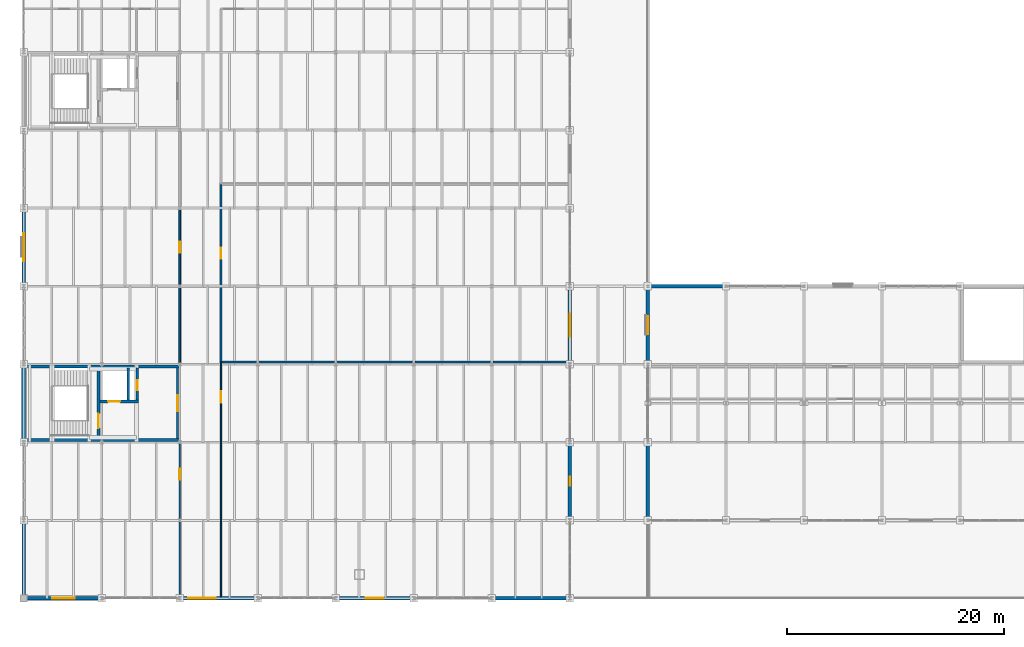
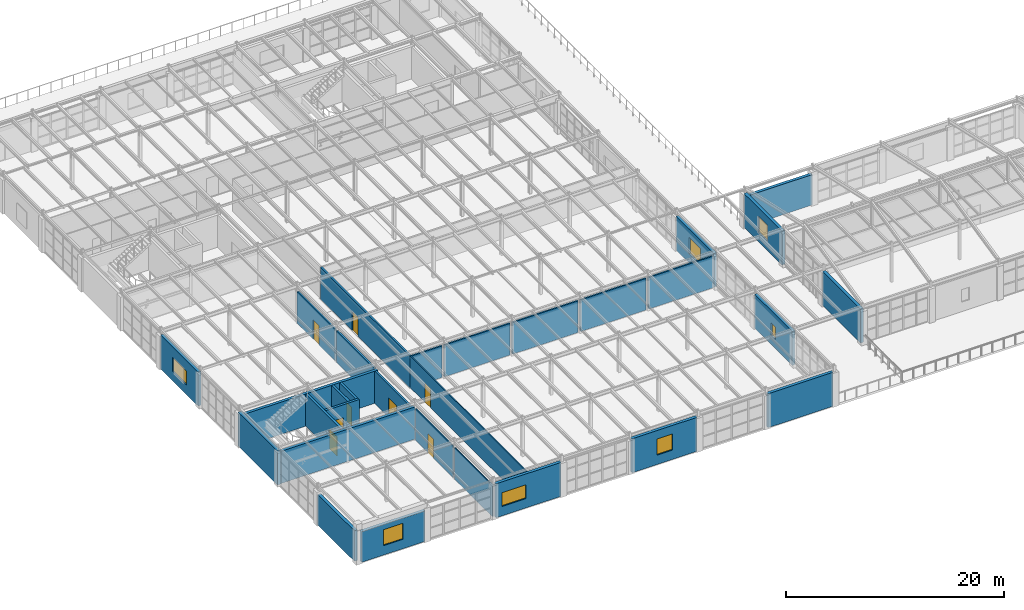
# One storey, part 90 of 101: 30 walls, 8 doors, 7 windows, 15 openings.
"""IFC4 building model written with IfcOpenShell, lengths in metres."""

from ifc_helpers import new_model, si_unit, direction, frame, frame_2d, origin, place, context, subcontext, project, spatial, rectangle, extrude, material, layer, layer_set, type_object, element, fill, save


model = new_model("IFC4")

# Units and contexts
model_context = context("Model", 3, precision=1e-05, world=origin(), true_north=direction((0.0, 1.0)))
body_context = subcontext(model_context, "Body", "Model", "MODEL_VIEW")
ifc_project = project(units=[si_unit("LENGTHUNIT", "METRE"), si_unit("AREAUNIT", "SQUARE_METRE"), si_unit("VOLUMEUNIT", "CUBIC_METRE"), si_unit("PLANEANGLEUNIT", "RADIAN"), si_unit("MASSUNIT", "GRAM", prefix="KILO")], contexts=[model_context])

# Site, building, storey
site_placement = place(None, origin())
site = spatial("IfcSite", under=ifc_project, at=site_placement, CompositionType="ELEMENT")
building_placement = place(site_placement, origin())
building = spatial("IfcBuilding", under=site, at=building_placement, Name="Kemerveld Promenade Tramway Depot", CompositionType="ELEMENT")
storey_placement = place(building_placement, frame((0.0, 0.0, 9.89990234375)))
storey = spatial("IfcBuildingStorey", under=building, at=storey_placement, Name="L02", CompositionType="ELEMENT", Elevation=9.89990234375)

# Wall, opening, door
ifc_material_1 = material(Name="Concrete C40/50", Category="concrete")
ifc_layer_1 = layer(ifc_material_1, 0.25)
ifc_layer_set_1 = layer_set([ifc_layer_1], Name="WL-CORE-250")
wall_type_1 = type_object("IfcWallType", Name="WL-CORE-250", PredefinedType="SHEAR", material=ifc_layer_set_1)
wall_1_placement = place(storey_placement, frame((6.89990234375, 14.75, 0.0), z_axis=(0.0, 0.0, 1.0), x_axis=(0.0, 1.0, 0.0)))
wall_1 = element("IfcWall", 1, at=wall_1_placement, inside=storey, type_object=wall_type_1, Name="WL-C1-L02-SDIV", PredefinedType="SHEAR", context=body_context, shape_type="SweptSolid", body=[
    extrude(rectangle(XDim=6.5, YDim=0.25, at=frame_2d((3.25, 0.0))), origin(), (0.0, 0.0, 1.0), 3.60009765625),
])
opening_1_placement = place(wall_1_placement, frame((0.949951171875, 0.0, 0.0)))
opening_1 = element("IfcOpeningElement", 2, at=opening_1_placement, cuts=wall_1, Name="Opening D-509", PredefinedType="OPENING", context=body_context, shape_type="SweptSolid", body=[
    extrude(rectangle(XDim=1.35009765625, YDim=2.14990234375, at=frame_2d((0.675048828125, 1.074951171875))), frame((0.0, 0.135009765625, 0.0), z_axis=(0.0, -1.0, 0.0), x_axis=(1.0, 0.0, 0.0)), (0.0, 0.0, 1.0), 0.27001953125),
])
ifc_material_2 = material(Name="Galvanised steel fire stair door", Category="steel")
door_type_1 = type_object("IfcDoorType", Name="DR-FD120", OperationType="NOTDEFINED", PredefinedType="DOOR", material=ifc_material_2)
door_1_placement = place(opening_1_placement, origin())
door_1 = element("IfcDoor", 3, at=door_1_placement, inside=storey, type_object=door_type_1, Name="DR-C1-L02-STAIR", OperationType="SINGLE_SWING_RIGHT", OverallHeight=2.14990234375, OverallWidth=1.35009765625, PredefinedType="DOOR", context=body_context, shape_type="SweptSolid", body=[
    extrude(rectangle(XDim=1.35009765625, YDim=2.14990234375, at=frame_2d((0.675048828125, 1.074951171875))), frame((0.0, 0.02490234375, 0.0), z_axis=(0.0, -1.0, 0.0), x_axis=(1.0, 0.0, 0.0)), (0.0, 0.0, 1.0), 0.050048828125),
])
fill(opening_1, door_1)

wall_2_placement = place(storey_placement, frame((7.02490234375, 18.159912109375, 0.0), z_axis=(0.0, 0.0, 1.0), x_axis=(1.0, 0.0, 0.0)))
wall_2 = element("IfcWall", 4, at=wall_2_placement, inside=storey, type_object=wall_type_1, Name="WL-C1-L02-LSHS", PredefinedType="SHEAR", context=body_context, shape_type="SweptSolid", body=[
    extrude(rectangle(XDim=3.580078125, YDim=0.25, at=frame_2d((1.7900390625, 0.0))), origin(), (0.0, 0.0, 1.0), 3.60009765625),
])
opening_2_placement = place(wall_2_placement, frame((0.77490234375, 0.0, 0.0)))
opening_2 = element("IfcOpeningElement", 5, at=opening_2_placement, cuts=wall_2, Name="Opening LD-510", PredefinedType="OPENING", context=body_context, shape_type="SweptSolid", body=[
    extrude(rectangle(XDim=1.10009765625, YDim=2.14990234375, at=frame_2d((0.550048828125, 1.074951171875))), frame((0.0, 0.135009765625, 0.0), z_axis=(0.0, -1.0, 0.0), x_axis=(1.0, 0.0, 0.0)), (0.0, 0.0, 1.0), 0.27001953125),
])
ifc_material_3 = material(Name="Brushed stainless steel sliding lift landing door", Category="steel")
door_type_2 = type_object("IfcDoorType", Name="DR-LD01", OperationType="SLIDING_TO_LEFT", PredefinedType="DOOR", material=ifc_material_3)
door_2_placement = place(opening_2_placement, origin())
door_2 = element("IfcDoor", 6, at=door_2_placement, inside=storey, type_object=door_type_2, Name="DR-C1-L02-LIFT", OperationType="SLIDING_TO_LEFT", OverallHeight=2.14990234375, OverallWidth=1.10009765625, PredefinedType="DOOR", context=body_context, shape_type="SweptSolid", body=[
    extrude(rectangle(XDim=1.10009765625, YDim=2.14990234375, at=frame_2d((0.550048828125, 1.074951171875))), frame((0.0, 0.02490234375, 0.0), z_axis=(0.0, -1.0, 0.0), x_axis=(1.0, 0.0, 0.0)), (0.0, 0.0, 1.0), 0.050048828125),
])
fill(opening_2, door_2)

# Wall
wall_3_placement = place(storey_placement, frame((9.64990234375, 18.284912109375, 0.0), z_axis=(0.0, 0.0, 1.0), x_axis=(0.0, 1.0, 0.0)))
element("IfcWall", 7, at=wall_3_placement, inside=storey, type_object=wall_type_1, Name="WL-C1-L02-LSHM", PredefinedType="SHEAR", context=body_context, shape_type="SweptSolid", body=[
    extrude(rectangle(XDim=2.965087890625, YDim=0.25, at=frame_2d((1.482421875, 0.0))), origin(), (0.0, 0.0, 1.0), 3.60009765625),
])

# Wall, opening, door
wall_4_placement = place(storey_placement, frame((10.47998046875, 18.284912109375, 0.0), z_axis=(0.0, 0.0, 1.0), x_axis=(0.0, 1.0, 0.0)))
wall_4 = element("IfcWall", 8, at=wall_4_placement, inside=storey, type_object=wall_type_1, Name="WL-C1-L02-LSHE", PredefinedType="SHEAR", context=body_context, shape_type="SweptSolid", body=[
    extrude(rectangle(XDim=2.965087890625, YDim=0.25, at=frame_2d((1.482421875, 0.0))), origin(), (0.0, 0.0, 1.0), 3.60009765625),
])
opening_3_placement = place(wall_4_placement, frame((0.89990234375, 0.0, 0.0)))
opening_3 = element("IfcOpeningElement", 9, at=opening_3_placement, cuts=wall_4, Name="Opening D-511", PredefinedType="OPENING", context=body_context, shape_type="SweptSolid", body=[
    extrude(rectangle(XDim=0.919921875, YDim=2.050048828125, at=frame_2d((0.4599609375, 1.02490234375))), frame((0.0, 0.135009765625, 0.0), z_axis=(0.0, -1.0, 0.0), x_axis=(1.0, 0.0, 0.0)), (0.0, 0.0, 1.0), 0.27001953125),
])
ifc_material_4 = material(Name="Steel riser shaft access fire door", Category="steel")
door_type_3 = type_object("IfcDoorType", Name="DR-RSR01", OperationType="NOTDEFINED", PredefinedType="DOOR", material=ifc_material_4)
door_3_placement = place(opening_3_placement, origin())
door_3 = element("IfcDoor", 10, at=door_3_placement, inside=storey, type_object=door_type_3, Name="DR-C1-L02-RISER", OperationType="SINGLE_SWING_LEFT", OverallHeight=2.050048828125, OverallWidth=0.919921875, PredefinedType="DOOR", context=body_context, shape_type="SweptSolid", body=[
    extrude(rectangle(XDim=0.919921875, YDim=2.050048828125, at=frame_2d((0.4599609375, 1.02490234375))), frame((0.0, 0.02490234375, 0.0), z_axis=(0.0, -1.0, 0.0), x_axis=(1.0, 0.0, 0.0)), (0.0, 0.0, 1.0), 0.050048828125),
])
fill(opening_3, door_3)

# Walls
ifc_layer_2 = layer(ifc_material_1, 0.300048828125)
ifc_layer_set_2 = layer_set([ifc_layer_2], Name="WL-CORE-300")
wall_type_2 = type_object("IfcWallType", Name="WL-CORE-300", PredefinedType="SHEAR", material=ifc_layer_set_2)
for number, where, z_axis, x_axis, name in (
    (11, (0.169921875, 14.60009765625, 0.0), (0.0, 0.0, 1.0), (1.0, 0.0, 0.0), "WL-C1-L02-S"),
    (12, (0.169921875, 21.39990234375, 0.0), (0.0, 0.0, 1.0), (1.0, 0.0, 0.0), "WL-C1-L02-N"),
):
    element("IfcWall", number, at=place(storey_placement, frame(where, z_axis=z_axis, x_axis=x_axis)), inside=storey, type_object=wall_type_2, Name=name, PredefinedType="SHEAR", context=body_context, shape_type="SweptSolid", body=[
        extrude(rectangle(XDim=14.22998046875, YDim=0.300048828125, at=frame_2d((7.114990234375, 0.0))), origin(), (0.0, 0.0, 1.0), 3.60009765625),
    ])
ifc_material_5 = material(Name="Banded granite and red-ochre clay brick masonry", Category="masonry")
ifc_layer_3 = layer(ifc_material_5, 0.320068359375)
ifc_layer_set_3 = layer_set([ifc_layer_3], Name="WL-EXT-320")
wall_type_3 = type_object("IfcWallType", Name="WL-EXT-320", PredefinedType="SOLIDWALL", material=ifc_layer_set_3)
wall_5_placement = place(storey_placement, frame((0.0, 0.320068359375, 0.0), z_axis=(0.0, 0.0, 1.0), x_axis=(0.0, 1.0, 0.0)))
element("IfcWall", 13, at=wall_5_placement, inside=storey, type_object=wall_type_3, Name="WL-L02-V5W-01", PredefinedType="SOLIDWALL", context=body_context, shape_type="SweptSolid", body=[
    extrude(rectangle(XDim=6.721923828125, YDim=0.320068359375, at=frame_2d((3.36083984375, 0.0))), origin(), (0.0, 0.0, 1.0), 3.4150390625),
])

# Wall, opening, window
wall_6_placement = place(storey_placement, frame((0.0, 28.9580078125, 0.0), z_axis=(0.0, 0.0, 1.0), x_axis=(0.0, 1.0, 0.0)))
wall_6 = element("IfcWall", 14, at=wall_6_placement, inside=storey, type_object=wall_type_3, Name="WL-L02-V5W-05", PredefinedType="SOLIDWALL", context=body_context, shape_type="SweptSolid", body=[
    extrude(rectangle(XDim=6.8837890625, YDim=0.320068359375, at=frame_2d((3.44189453125, 0.0))), origin(), (0.0, 0.0, 1.0), 3.800048828125),
])
opening_4_placement = place(wall_6_placement, frame((2.162109375, 0.0, 1.050048828125)))
opening_4 = element("IfcOpeningElement", 15, at=opening_4_placement, cuts=wall_6, Name="Opening W-189", PredefinedType="OPENING", context=body_context, shape_type="SweptSolid", body=[
    extrude(rectangle(XDim=2.56005859375, YDim=1.550048828125, at=frame_2d((1.280029296875, 0.77490234375))), frame((0.0, 0.169921875, 0.0), z_axis=(0.0, -1.0, 0.0), x_axis=(1.0, 0.0, 0.0)), (0.0, 0.0, 1.0), 0.340087890625),
])
ifc_material_6 = material(Name="Bronze anodised aluminium and low-e glass", Category="aluminium")
window_type_1 = type_object("IfcWindowType", Name="WN-39", PartitioningType="SINGLE_PANEL", PredefinedType="WINDOW", material=ifc_material_6)
window_1_placement = place(opening_4_placement, origin())
window_1 = element("IfcWindow", 16, at=window_1_placement, inside=storey, type_object=window_type_1, Name="WN-L02-V5W-05", OverallHeight=1.550048828125, OverallWidth=2.56005859375, PartitioningType="SINGLE_PANEL", PredefinedType="WINDOW", context=body_context, shape_type="SweptSolid", body=[
    extrude(rectangle(XDim=2.56005859375, YDim=1.550048828125, at=frame_2d((1.280029296875, 0.77490234375))), frame((0.0, 0.030029296875, 0.0), z_axis=(0.0, -1.0, 0.0), x_axis=(1.0, 0.0, 0.0)), (0.0, 0.0, 1.0), 0.06005859375),
])
fill(opening_4, window_1)

wall_7_placement = place(storey_placement, frame((50.39990234375, 28.641845703125, 0.0), z_axis=(0.0, 0.0, 1.0), x_axis=(0.0, -1.0, 0.0)))
wall_7 = element("IfcWall", 17, at=wall_7_placement, inside=storey, type_object=wall_type_3, Name="WL-L02-V5E-07", PredefinedType="SOLIDWALL", context=body_context, shape_type="SweptSolid", body=[
    extrude(rectangle(XDim=6.883544921875, YDim=0.320068359375, at=frame_2d((3.44189453125, 0.0))), origin(), (0.0, 0.0, 1.0), 3.800048828125),
])
opening_5_placement = place(wall_7_placement, frame((2.39208984375, 0.0, 1.050048828125)))
opening_5 = element("IfcOpeningElement", 18, at=opening_5_placement, cuts=wall_7, Name="Opening W-196", PredefinedType="OPENING", context=body_context, shape_type="SweptSolid", body=[
    extrude(rectangle(XDim=2.10009765625, YDim=1.800048828125, at=frame_2d((1.050048828125, 0.89990234375))), frame((0.0, 0.169921875, 0.0), z_axis=(0.0, -1.0, 0.0), x_axis=(1.0, 0.0, 0.0)), (0.0, 0.0, 1.0), 0.340087890625),
])
window_type_2 = type_object("IfcWindowType", Name="WN-09", PartitioningType="SINGLE_PANEL", PredefinedType="WINDOW", material=ifc_material_6)
window_2_placement = place(opening_5_placement, origin())
window_2 = element("IfcWindow", 19, at=window_2_placement, inside=storey, type_object=window_type_2, Name="WN-L02-V5E-07", OverallHeight=1.800048828125, OverallWidth=2.10009765625, PartitioningType="SINGLE_PANEL", PredefinedType="WINDOW", context=body_context, shape_type="SweptSolid", body=[
    extrude(rectangle(XDim=2.10009765625, YDim=1.800048828125, at=frame_2d((1.050048828125, 0.89990234375))), frame((0.0, 0.030029296875, 0.0), z_axis=(0.0, -1.0, 0.0), x_axis=(1.0, 0.0, 0.0)), (0.0, 0.0, 1.0), 0.06005859375),
])
fill(opening_5, window_2)

wall_8_placement = place(storey_placement, frame((50.39990234375, 14.241943359375, 0.0), z_axis=(0.0, 0.0, 1.0), x_axis=(0.0, -1.0, 0.0)))
wall_8 = element("IfcWall", 20, at=wall_8_placement, inside=storey, type_object=wall_type_3, Name="WL-L02-V5E-09", PredefinedType="SOLIDWALL", context=body_context, shape_type="SweptSolid", body=[
    extrude(rectangle(XDim=6.8837890625, YDim=0.320068359375, at=frame_2d((3.44189453125, 0.0))), origin(), (0.0, 0.0, 1.0), 3.800048828125),
])
opening_6_placement = place(wall_8_placement, frame((3.0419921875, 0.0, 1.050048828125)))
opening_6 = element("IfcOpeningElement", 21, at=opening_6_placement, cuts=wall_8, Name="Opening W-197", PredefinedType="OPENING", context=body_context, shape_type="SweptSolid", body=[
    extrude(rectangle(XDim=0.800048828125, YDim=1.39990234375, at=frame_2d((0.39990234375, 0.699951171875))), frame((0.0, 0.169921875, 0.0), z_axis=(0.0, -1.0, 0.0), x_axis=(1.0, 0.0, 0.0)), (0.0, 0.0, 1.0), 0.340087890625),
])
window_type_3 = type_object("IfcWindowType", Name="WN-19", PartitioningType="SINGLE_PANEL", PredefinedType="WINDOW", material=ifc_material_6)
window_3_placement = place(opening_6_placement, origin())
window_3 = element("IfcWindow", 22, at=window_3_placement, inside=storey, type_object=window_type_3, Name="WN-L02-V5E-09", OverallHeight=1.39990234375, OverallWidth=0.800048828125, PartitioningType="SINGLE_PANEL", PredefinedType="WINDOW", context=body_context, shape_type="SweptSolid", body=[
    extrude(rectangle(XDim=0.800048828125, YDim=1.39990234375, at=frame_2d((0.39990234375, 0.699951171875))), frame((0.0, 0.030029296875, 0.0), z_axis=(0.0, -1.0, 0.0), x_axis=(1.0, 0.0, 0.0)), (0.0, 0.0, 1.0), 0.06005859375),
])
fill(opening_6, window_3)

# Wall
wall_9_placement = place(storey_placement, frame((50.24169921875, 0.0, 0.0), z_axis=(0.0, 0.0, 1.0), x_axis=(-1.0, 0.0, 0.0)))
element("IfcWall", 23, at=wall_9_placement, inside=storey, type_object=wall_type_3, Name="WL-L02-V5S-01", PredefinedType="SOLIDWALL", context=body_context, shape_type="SweptSolid", body=[
    extrude(rectangle(XDim=6.883544921875, YDim=0.320068359375, at=frame_2d((3.44189453125, 0.0))), origin(), (0.0, 0.0, 1.0), 3.800048828125),
])

# Wall, opening, window
wall_10_placement = place(storey_placement, frame((35.841796875, 0.0, 0.0), z_axis=(0.0, 0.0, 1.0), x_axis=(-1.0, 0.0, 0.0)))
wall_10 = element("IfcWall", 24, at=wall_10_placement, inside=storey, type_object=wall_type_3, Name="WL-L02-V5S-03", PredefinedType="SOLIDWALL", context=body_context, shape_type="SweptSolid", body=[
    extrude(rectangle(XDim=6.8837890625, YDim=0.320068359375, at=frame_2d((3.44189453125, 0.0))), origin(), (0.0, 0.0, 1.0), 3.800048828125),
])
opening_7_placement = place(wall_10_placement, frame((2.612060546875, 0.0, 1.050048828125)))
opening_7 = element("IfcOpeningElement", 25, at=opening_7_placement, cuts=wall_10, Name="Opening W-198", PredefinedType="OPENING", context=body_context, shape_type="SweptSolid", body=[
    extrude(rectangle(XDim=1.659912109375, YDim=1.800048828125, at=frame_2d((0.830078125, 0.89990234375))), frame((0.0, 0.169921875, 0.0), z_axis=(0.0, -1.0, 0.0), x_axis=(1.0, 0.0, 0.0)), (0.0, 0.0, 1.0), 0.340087890625),
])
window_type_4 = type_object("IfcWindowType", Name="WN-29", PartitioningType="SINGLE_PANEL", PredefinedType="WINDOW", material=ifc_material_6)
window_4_placement = place(opening_7_placement, origin())
window_4 = element("IfcWindow", 26, at=window_4_placement, inside=storey, type_object=window_type_4, Name="WN-L02-V5S-03", OverallHeight=1.800048828125, OverallWidth=1.659912109375, PartitioningType="SINGLE_PANEL", PredefinedType="WINDOW", context=body_context, shape_type="SweptSolid", body=[
    extrude(rectangle(XDim=1.659912109375, YDim=1.800048828125, at=frame_2d((0.830078125, 0.89990234375))), frame((0.0, 0.030029296875, 0.0), z_axis=(0.0, -1.0, 0.0), x_axis=(1.0, 0.0, 0.0)), (0.0, 0.0, 1.0), 0.06005859375),
])
fill(opening_7, window_4)

wall_11_placement = place(storey_placement, frame((21.44189453125, 0.0, 0.0), z_axis=(0.0, 0.0, 1.0), x_axis=(-1.0, 0.0, 0.0)))
wall_11 = element("IfcWall", 27, at=wall_11_placement, inside=storey, type_object=wall_type_3, Name="WL-L02-V5S-05", PredefinedType="SOLIDWALL", context=body_context, shape_type="SweptSolid", body=[
    extrude(rectangle(XDim=6.8837890625, YDim=0.320068359375, at=frame_2d((3.44189453125, 0.0))), origin(), (0.0, 0.0, 1.0), 3.800048828125),
])
opening_8_placement = place(wall_11_placement, frame((3.7080078125, 0.0, 1.050048828125)))
opening_8 = element("IfcOpeningElement", 28, at=opening_8_placement, cuts=wall_11, Name="Opening W-199", PredefinedType="OPENING", context=body_context, shape_type="SweptSolid", body=[
    extrude(rectangle(XDim=2.56005859375, YDim=1.550048828125, at=frame_2d((1.280029296875, 0.77490234375))), frame((0.0, 0.169921875, 0.0), z_axis=(0.0, -1.0, 0.0), x_axis=(1.0, 0.0, 0.0)), (0.0, 0.0, 1.0), 0.340087890625),
])
window_5_placement = place(opening_8_placement, origin())
window_5 = element("IfcWindow", 29, at=window_5_placement, inside=storey, type_object=window_type_1, Name="WN-L02-V5S-05", OverallHeight=1.550048828125, OverallWidth=2.56005859375, PartitioningType="SINGLE_PANEL", PredefinedType="WINDOW", context=body_context, shape_type="SweptSolid", body=[
    extrude(rectangle(XDim=2.56005859375, YDim=1.550048828125, at=frame_2d((1.280029296875, 0.77490234375))), frame((0.0, 0.030029296875, 0.0), z_axis=(0.0, -1.0, 0.0), x_axis=(1.0, 0.0, 0.0)), (0.0, 0.0, 1.0), 0.06005859375),
])
fill(opening_8, window_5)

wall_12_placement = place(storey_placement, frame((7.0419921875, 0.0, 0.0), z_axis=(0.0, 0.0, 1.0), x_axis=(-1.0, 0.0, 0.0)))
wall_12 = element("IfcWall", 30, at=wall_12_placement, inside=storey, type_object=wall_type_3, Name="WL-L02-V5S-07", PredefinedType="SOLIDWALL", context=body_context, shape_type="SweptSolid", body=[
    extrude(rectangle(XDim=6.721923828125, YDim=0.320068359375, at=frame_2d((3.36083984375, 0.0))), origin(), (0.0, 0.0, 1.0), 3.4150390625),
])
opening_9_placement = place(wall_12_placement, frame((2.31103515625, 0.0, 1.050048828125)))
opening_9 = element("IfcOpeningElement", 31, at=opening_9_placement, cuts=wall_12, Name="Opening W-200", PredefinedType="OPENING", context=body_context, shape_type="SweptSolid", body=[
    extrude(rectangle(XDim=2.10009765625, YDim=1.800048828125, at=frame_2d((1.050048828125, 0.89990234375))), frame((0.0, 0.169921875, 0.0), z_axis=(0.0, -1.0, 0.0), x_axis=(1.0, 0.0, 0.0)), (0.0, 0.0, 1.0), 0.340087890625),
])
window_6_placement = place(opening_9_placement, origin())
window_6 = element("IfcWindow", 32, at=window_6_placement, inside=storey, type_object=window_type_2, Name="WN-L02-V5S-07", OverallHeight=1.800048828125, OverallWidth=2.10009765625, PartitioningType="SINGLE_PANEL", PredefinedType="WINDOW", context=body_context, shape_type="SweptSolid", body=[
    extrude(rectangle(XDim=2.10009765625, YDim=1.800048828125, at=frame_2d((1.050048828125, 0.89990234375))), frame((0.0, 0.030029296875, 0.0), z_axis=(0.0, -1.0, 0.0), x_axis=(1.0, 0.0, 0.0)), (0.0, 0.0, 1.0), 0.06005859375),
])
fill(opening_9, window_6)

# Walls
wall_13_placement = place(storey_placement, frame((57.724853515625, 28.800048828125, 0.0), z_axis=(0.0, 0.0, 1.0), x_axis=(1.0, 0.0, 0.0)))
element("IfcWall", 33, at=wall_13_placement, inside=storey, type_object=wall_type_3, Name="WL-L02-V4N-01", PredefinedType="SOLIDWALL", context=body_context, shape_type="SweptSolid", body=[
    extrude(rectangle(XDim=6.950439453125, YDim=0.320068359375, at=frame_2d((3.47509765625, 0.0))), origin(), (0.0, 0.0, 1.0), 3.404296875),
])
wall_14_placement = place(storey_placement, frame((57.60009765625, 7.32470703125, 0.0), z_axis=(0.0, 0.0, 1.0), x_axis=(0.0, 1.0, 0.0)))
element("IfcWall", 34, at=wall_14_placement, inside=storey, type_object=wall_type_3, Name="WL-L02-V4W-01", PredefinedType="SOLIDWALL", context=body_context, shape_type="SweptSolid", body=[
    extrude(rectangle(XDim=6.950439453125, YDim=0.320068359375, at=frame_2d((3.47509765625, 0.0))), origin(), (0.0, 0.0, 1.0), 3.800048828125),
])

# Wall, opening, window
wall_15_placement = place(storey_placement, frame((57.60009765625, 21.724853515625, 0.0), z_axis=(0.0, 0.0, 1.0), x_axis=(0.0, 1.0, 0.0)))
wall_15 = element("IfcWall", 35, at=wall_15_placement, inside=storey, type_object=wall_type_3, Name="WL-L02-V4W-03", PredefinedType="SOLIDWALL", context=body_context, shape_type="SweptSolid", body=[
    extrude(rectangle(XDim=6.950439453125, YDim=0.320068359375, at=frame_2d((3.47509765625, 0.0))), origin(), (0.0, 0.0, 1.0), 3.800048828125),
])
opening_10_placement = place(wall_15_placement, frame((2.64501953125, 0.0, 1.050048828125)))
opening_10 = element("IfcOpeningElement", 36, at=opening_10_placement, cuts=wall_15, Name="Opening W-208", PredefinedType="OPENING", context=body_context, shape_type="SweptSolid", body=[
    extrude(rectangle(XDim=1.659912109375, YDim=1.800048828125, at=frame_2d((0.830078125, 0.89990234375))), frame((0.0, 0.169921875, 0.0), z_axis=(0.0, -1.0, 0.0), x_axis=(1.0, 0.0, 0.0)), (0.0, 0.0, 1.0), 0.340087890625),
])
window_7_placement = place(opening_10_placement, origin())
window_7 = element("IfcWindow", 37, at=window_7_placement, inside=storey, type_object=window_type_4, Name="WN-L02-V4W-03", OverallHeight=1.800048828125, OverallWidth=1.659912109375, PartitioningType="SINGLE_PANEL", PredefinedType="WINDOW", context=body_context, shape_type="SweptSolid", body=[
    extrude(rectangle(XDim=1.659912109375, YDim=1.800048828125, at=frame_2d((0.830078125, 0.89990234375))), frame((0.0, 0.030029296875, 0.0), z_axis=(0.0, -1.0, 0.0), x_axis=(1.0, 0.0, 0.0)), (0.0, 0.0, 1.0), 0.06005859375),
])
fill(opening_10, window_7)

# Wall
ifc_layer_4 = layer(ifc_material_1, 0.360107421875)
ifc_layer_set_4 = layer_set([ifc_layer_4], Name="WL-EXT-CORE")
wall_type_4 = type_object("IfcWallType", Name="WL-EXT-CORE", PredefinedType="SHEAR", material=ifc_layer_set_4)
wall_16_placement = place(storey_placement, frame((0.0, 14.39990234375, 0.0), z_axis=(0.0, 0.0, 1.0), x_axis=(0.0, 1.0, 0.0)))
element("IfcWall", 38, at=wall_16_placement, inside=storey, type_object=wall_type_4, Name="WL-L02-V5W-03", PredefinedType="SHEAR", context=body_context, shape_type="SweptSolid", body=[
    extrude(rectangle(XDim=7.2001953125, YDim=0.360107421875, at=frame_2d((3.60009765625, 0.0))), origin(), (0.0, 0.0, 1.0), 3.800048828125),
])

# Wall, opening, door
ifc_material_7 = material(Name="Concrete blockwork C35/45", Category="masonry")
ifc_layer_5 = layer(ifc_material_7, 0.199951171875)
ifc_layer_set_5 = layer_set([ifc_layer_5], Name="WL-LOB-200")
wall_type_5 = type_object("IfcWallType", Name="WL-LOB-200", PredefinedType="SOLIDWALL", material=ifc_layer_set_5)
wall_17_placement = place(storey_placement, frame((14.179931640625, 14.75, 0.0), z_axis=(0.0, 0.0, 1.0), x_axis=(0.0, 1.0, 0.0)))
wall_17 = element("IfcWall", 39, at=wall_17_placement, inside=storey, type_object=wall_type_5, Name="WL-C1-L02-LOB", PredefinedType="SOLIDWALL", context=body_context, shape_type="SweptSolid", body=[
    extrude(rectangle(XDim=6.5, YDim=0.199951171875, at=frame_2d((3.25, 0.0))), origin(), (0.0, 0.0, 1.0), 3.60009765625),
])
opening_11_placement = place(wall_17_placement, frame((2.5, 0.0, 0.0)))
opening_11 = element("IfcOpeningElement", 40, at=opening_11_placement, cuts=wall_17, Name="Opening D-512", PredefinedType="OPENING", context=body_context, shape_type="SweptSolid", body=[
    extrude(rectangle(XDim=1.5, YDim=2.14990234375, at=frame_2d((0.75, 1.074951171875))), frame((0.0, 0.10986328125, 0.0), z_axis=(0.0, -1.0, 0.0), x_axis=(1.0, 0.0, 0.0)), (0.0, 0.0, 1.0), 0.219970703125),
])
ifc_material_8 = material(Name="Timber-faced acoustic fire lobby door", Category="wood")
door_type_4 = type_object("IfcDoorType", Name="DR-FD60A", OperationType="NOTDEFINED", PredefinedType="DOOR", material=ifc_material_8)
door_4_placement = place(opening_11_placement, origin())
door_4 = element("IfcDoor", 41, at=door_4_placement, inside=storey, type_object=door_type_4, Name="DR-C1-L02-LOBBY", OperationType="SINGLE_SWING_RIGHT", OverallHeight=2.14990234375, OverallWidth=1.5, PredefinedType="DOOR", context=body_context, shape_type="SweptSolid", body=[
    extrude(rectangle(XDim=1.5, YDim=2.14990234375, at=frame_2d((0.75, 1.074951171875))), frame((0.0, 0.02490234375, 0.0), z_axis=(0.0, -1.0, 0.0), x_axis=(1.0, 0.0, 0.0)), (0.0, 0.0, 1.0), 0.050048828125),
])
fill(opening_11, door_4)

# Wall
ifc_material_9 = material(Name="Lightweight glazed studio partition")
ifc_layer_6 = layer(ifc_material_9, 0.10009765625)
ifc_layer_set_6 = layer_set([ifc_layer_6], Name="WL-PRT-100")
wall_type_6 = type_object("IfcWallType", Name="WL-PRT-100", PredefinedType="PARTITIONING", material=ifc_layer_set_6)
wall_18_placement = place(storey_placement, frame((14.39990234375, 0.159912109375, 0.0), z_axis=(0.0, 0.0, 1.0), x_axis=(0.0, 1.0, 0.0)))
element("IfcWall", 42, at=wall_18_placement, inside=storey, type_object=wall_type_6, Name="WL-PRT-RM-L02-V5-TR1-S1", PredefinedType="PARTITIONING", context=body_context, shape_type="SweptSolid", body=[
    extrude(rectangle(XDim=6.900146484375, YDim=0.10009765625, at=frame_2d((3.4501953125, 0.0))), origin(), (0.0, 0.0, 1.0), 3.550048828125),
])

# Wall, opening, door
wall_19_placement = place(storey_placement, frame((14.39990234375, 7.340087890625, 0.0), z_axis=(0.0, 0.0, 1.0), x_axis=(0.0, 1.0, 0.0)))
wall_19 = element("IfcWall", 43, at=wall_19_placement, inside=storey, type_object=wall_type_6, Name="WL-PRT-RM-L02-V5-TR1", PredefinedType="PARTITIONING", context=body_context, shape_type="SweptSolid", body=[
    extrude(rectangle(XDim=6.919921875, YDim=0.10009765625, at=frame_2d((3.4599609375, 0.0))), origin(), (0.0, 0.0, 1.0), 3.550048828125),
])
opening_12_placement = place(wall_19_placement, frame((3.580078125, 0.0, 0.0)))
opening_12 = element("IfcOpeningElement", 44, at=opening_12_placement, cuts=wall_19, Name="Opening D-662", PredefinedType="OPENING", context=body_context, shape_type="SweptSolid", body=[
    extrude(rectangle(XDim=1.050048828125, YDim=2.14990234375, at=frame_2d((0.52490234375, 1.074951171875))), frame((0.0, 0.06005859375, 0.0), z_axis=(0.0, -1.0, 0.0), x_axis=(1.0, 0.0, 0.0)), (0.0, 0.0, 1.0), 0.1201171875),
])
ifc_material_10 = material(Name="Glazed training classroom door")
door_type_5 = type_object("IfcDoorType", Name="DR-INT03", OperationType="NOTDEFINED", PredefinedType="DOOR", material=ifc_material_10)
door_5_placement = place(opening_12_placement, origin())
door_5 = element("IfcDoor", 45, at=door_5_placement, inside=storey, type_object=door_type_5, Name="DR-RM-RM-L02-V5-TR1", OperationType="SINGLE_SWING_RIGHT", OverallHeight=2.14990234375, OverallWidth=1.050048828125, PredefinedType="DOOR", context=body_context, shape_type="SweptSolid", body=[
    extrude(rectangle(XDim=1.050048828125, YDim=2.14990234375, at=frame_2d((0.52490234375, 1.074951171875))), frame((0.0, 0.02490234375, 0.0), z_axis=(0.0, -1.0, 0.0), x_axis=(1.0, 0.0, 0.0)), (0.0, 0.0, 1.0), 0.050048828125),
])
fill(opening_12, door_5)

ifc_material_11 = material(Name="Standard acoustic office partition")
ifc_layer_7 = layer(ifc_material_11, 0.114990234375)
ifc_layer_set_7 = layer_set([ifc_layer_7], Name="WL-PRT-115")
wall_type_7 = type_object("IfcWallType", Name="WL-PRT-115", PredefinedType="PARTITIONING", material=ifc_layer_set_7)
wall_20_placement = place(storey_placement, frame((18.199951171875, 0.159912109375, 0.0), z_axis=(0.0, 0.0, 1.0), x_axis=(0.0, 1.0, 0.0)))
wall_20 = element("IfcWall", 46, at=wall_20_placement, inside=storey, type_object=wall_type_7, Name="WL-PRT-RM-L02-V5-SIM", PredefinedType="PARTITIONING", context=body_context, shape_type="SweptSolid", body=[
    extrude(rectangle(XDim=21.64013671875, YDim=0.114990234375, at=frame_2d((10.820068359375, 0.0))), origin(), (0.0, 0.0, 1.0), 3.550048828125),
])
opening_13_placement = place(wall_20_placement, frame((17.89208984375, 0.0, 0.0)))
opening_13 = element("IfcOpeningElement", 47, at=opening_13_placement, cuts=wall_20, Name="Opening D-661", PredefinedType="OPENING", context=body_context, shape_type="SweptSolid", body=[
    extrude(rectangle(XDim=1.050048828125, YDim=2.14990234375, at=frame_2d((0.52490234375, 1.074951171875))), frame((0.0, 0.0673828125, 0.0), z_axis=(0.0, -1.0, 0.0), x_axis=(1.0, 0.0, 0.0)), (0.0, 0.0, 1.0), 0.135009765625),
])
door_6_placement = place(opening_13_placement, origin())
door_6 = element("IfcDoor", 48, at=door_6_placement, inside=storey, type_object=door_type_5, Name="DR-RM-RM-L02-V5-SIM", OperationType="SINGLE_SWING_LEFT", OverallHeight=2.14990234375, OverallWidth=1.050048828125, PredefinedType="DOOR", context=body_context, shape_type="SweptSolid", body=[
    extrude(rectangle(XDim=1.050048828125, YDim=2.14990234375, at=frame_2d((0.52490234375, 1.074951171875))), frame((0.0, 0.02490234375, 0.0), z_axis=(0.0, -1.0, 0.0), x_axis=(1.0, 0.0, 0.0)), (0.0, 0.0, 1.0), 0.050048828125),
])
fill(opening_13, door_6)

# Walls
ifc_material_12 = material(Name="Acoustic twin-stud gypsum partition")
ifc_layer_8 = layer(ifc_material_12, 0.159912109375)
ifc_layer_set_8 = layer_set([ifc_layer_8], Name="WL-PRT-160")
wall_type_8 = type_object("IfcWallType", Name="WL-PRT-160", PredefinedType="PARTITIONING", material=ifc_layer_set_8)
wall_21_placement = place(storey_placement, frame((18.294921875, 21.800048828125, 0.0), z_axis=(0.0, 0.0, 1.0), x_axis=(1.0, 0.0, 0.0)))
element("IfcWall", 49, at=wall_21_placement, inside=storey, type_object=wall_type_8, Name="WL-DIV-L02-005", PredefinedType="PARTITIONING", context=body_context, shape_type="SweptSolid", body=[
    extrude(rectangle(XDim=3.172119140625, YDim=0.159912109375, at=frame_2d((1.5859375, 0.0))), origin(), (0.0, 0.0, 1.0), 3.550048828125),
])
wall_22_placement = place(storey_placement, frame((21.73291015625, 21.800048828125, 0.0), z_axis=(0.0, 0.0, 1.0), x_axis=(1.0, 0.0, 0.0)))
element("IfcWall", 50, at=wall_22_placement, inside=storey, type_object=wall_type_8, Name="WL-DIV-L02-006", PredefinedType="PARTITIONING", context=body_context, shape_type="SweptSolid", body=[
    extrude(rectangle(XDim=6.93408203125, YDim=0.159912109375, at=frame_2d((3.467041015625, 0.0))), origin(), (0.0, 0.0, 1.0), 3.550048828125),
])
for number, where, z_axis, x_axis, name in (
    (51, (28.93310546875, 21.800048828125, 0.0), (0.0, 0.0, 1.0), (1.0, 0.0, 0.0), "WL-DIV-L02-007"),
    (52, (36.133056640625, 21.800048828125, 0.0), (0.0, 0.0, 1.0), (1.0, 0.0, 0.0), "WL-DIV-L02-008"),
):
    element("IfcWall", number, at=place(storey_placement, frame(where, z_axis=z_axis, x_axis=x_axis)), inside=storey, type_object=wall_type_8, Name=name, PredefinedType="PARTITIONING", context=body_context, shape_type="SweptSolid", body=[
        extrude(rectangle(XDim=6.933837890625, YDim=0.159912109375, at=frame_2d((3.466796875, 0.0))), origin(), (0.0, 0.0, 1.0), 3.550048828125),
    ])
wall_23_placement = place(storey_placement, frame((43.3330078125, 21.800048828125, 0.0), z_axis=(0.0, 0.0, 1.0), x_axis=(1.0, 0.0, 0.0)))
element("IfcWall", 53, at=wall_23_placement, inside=storey, type_object=wall_type_8, Name="WL-DIV-L02-009", PredefinedType="PARTITIONING", context=body_context, shape_type="SweptSolid", body=[
    extrude(rectangle(XDim=6.906982421875, YDim=0.159912109375, at=frame_2d((3.45361328125, 0.0))), origin(), (0.0, 0.0, 1.0), 3.550048828125),
])
ifc_material_13 = material(Name="Workshop acoustic block partition")
ifc_layer_9 = layer(ifc_material_13, 0.175048828125)
ifc_layer_set_9 = layer_set([ifc_layer_9], Name="WL-PRT-175")
wall_type_9 = type_object("IfcWallType", Name="WL-PRT-175", PredefinedType="PARTITIONING", material=ifc_layer_set_9)
wall_24_placement = place(storey_placement, frame((14.39990234375, 21.739990234375, 0.0), z_axis=(0.0, 0.0, 1.0), x_axis=(0.0, 1.0, 0.0)))
element("IfcWall", 54, at=wall_24_placement, inside=storey, type_object=wall_type_9, Name="WL-PRT-RM-L02-V5-TR2-S1", PredefinedType="PARTITIONING", context=body_context, shape_type="SweptSolid", body=[
    extrude(rectangle(XDim=6.919921875, YDim=0.175048828125, at=frame_2d((3.4599609375, 0.0))), origin(), (0.0, 0.0, 1.0), 3.550048828125),
])

# Wall, opening, door
wall_25_placement = place(storey_placement, frame((14.39990234375, 28.93994140625, 0.0), z_axis=(0.0, 0.0, 1.0), x_axis=(0.0, 1.0, 0.0)))
wall_25 = element("IfcWall", 55, at=wall_25_placement, inside=storey, type_object=wall_type_9, Name="WL-PRT-RM-L02-V5-TR2", PredefinedType="PARTITIONING", context=body_context, shape_type="SweptSolid", body=[
    extrude(rectangle(XDim=6.920166015625, YDim=0.175048828125, at=frame_2d((3.4599609375, 0.0))), origin(), (0.0, 0.0, 1.0), 3.550048828125),
])
opening_14_placement = place(wall_25_placement, frame((2.93505859375, 0.0, 0.0)))
opening_14 = element("IfcOpeningElement", 56, at=opening_14_placement, cuts=wall_25, Name="Opening D-663", PredefinedType="OPENING", context=body_context, shape_type="SweptSolid", body=[
    extrude(rectangle(XDim=1.050048828125, YDim=2.14990234375, at=frame_2d((0.52490234375, 1.074951171875))), frame((0.0, 0.097412109375, 0.0), z_axis=(0.0, -1.0, 0.0), x_axis=(1.0, 0.0, 0.0)), (0.0, 0.0, 1.0), 0.195068359375),
])
door_7_placement = place(opening_14_placement, origin())
door_7 = element("IfcDoor", 57, at=door_7_placement, inside=storey, type_object=door_type_5, Name="DR-RM-RM-L02-V5-TR2", OperationType="SINGLE_SWING_LEFT", OverallHeight=2.14990234375, OverallWidth=1.050048828125, PredefinedType="DOOR", context=body_context, shape_type="SweptSolid", body=[
    extrude(rectangle(XDim=1.050048828125, YDim=2.14990234375, at=frame_2d((0.52490234375, 1.074951171875))), frame((0.0, 0.02490234375, 0.0), z_axis=(0.0, -1.0, 0.0), x_axis=(1.0, 0.0, 0.0)), (0.0, 0.0, 1.0), 0.050048828125),
])
fill(opening_14, door_7)

ifc_material_14 = material(Name="Plant and substation fire partition")
ifc_layer_10 = layer(ifc_material_14, 0.18994140625)
ifc_layer_set_10 = layer_set([ifc_layer_10], Name="WL-PRT-190")
wall_type_10 = type_object("IfcWallType", Name="WL-PRT-190", PredefinedType="PARTITIONING", material=ifc_layer_set_10)
wall_26_placement = place(storey_placement, frame((18.199951171875, 21.800048828125, 0.0), z_axis=(0.0, 0.0, 1.0), x_axis=(0.0, 1.0, 0.0)))
wall_26 = element("IfcWall", 58, at=wall_26_placement, inside=storey, type_object=wall_type_10, Name="WL-PRT-RM-L02-V5-TR3", PredefinedType="PARTITIONING", context=body_context, shape_type="SweptSolid", body=[
    extrude(rectangle(XDim=16.39990234375, YDim=0.18994140625, at=frame_2d((8.199951171875, 0.0))), origin(), (0.0, 0.0, 1.0), 3.550048828125),
])
opening_15_placement = place(wall_26_placement, frame((9.513916015625, 0.0, 0.0)))
opening_15 = element("IfcOpeningElement", 59, at=opening_15_placement, cuts=wall_26, Name="Opening D-664", PredefinedType="OPENING", context=body_context, shape_type="SweptSolid", body=[
    extrude(rectangle(XDim=1.050048828125, YDim=2.14990234375, at=frame_2d((0.52490234375, 1.074951171875))), frame((0.0, 0.10498046875, 0.0), z_axis=(0.0, -1.0, 0.0), x_axis=(1.0, 0.0, 0.0)), (0.0, 0.0, 1.0), 0.2099609375),
])
door_8_placement = place(opening_15_placement, origin())
door_8 = element("IfcDoor", 60, at=door_8_placement, inside=storey, type_object=door_type_5, Name="DR-RM-RM-L02-V5-TR3", OperationType="SINGLE_SWING_RIGHT", OverallHeight=2.14990234375, OverallWidth=1.050048828125, PredefinedType="DOOR", context=body_context, shape_type="SweptSolid", body=[
    extrude(rectangle(XDim=1.050048828125, YDim=2.14990234375, at=frame_2d((0.52490234375, 1.074951171875))), frame((0.0, 0.02490234375, 0.0), z_axis=(0.0, -1.0, 0.0), x_axis=(1.0, 0.0, 0.0)), (0.0, 0.0, 1.0), 0.050048828125),
])
fill(opening_15, door_8)

save(model, "model.ifc")
